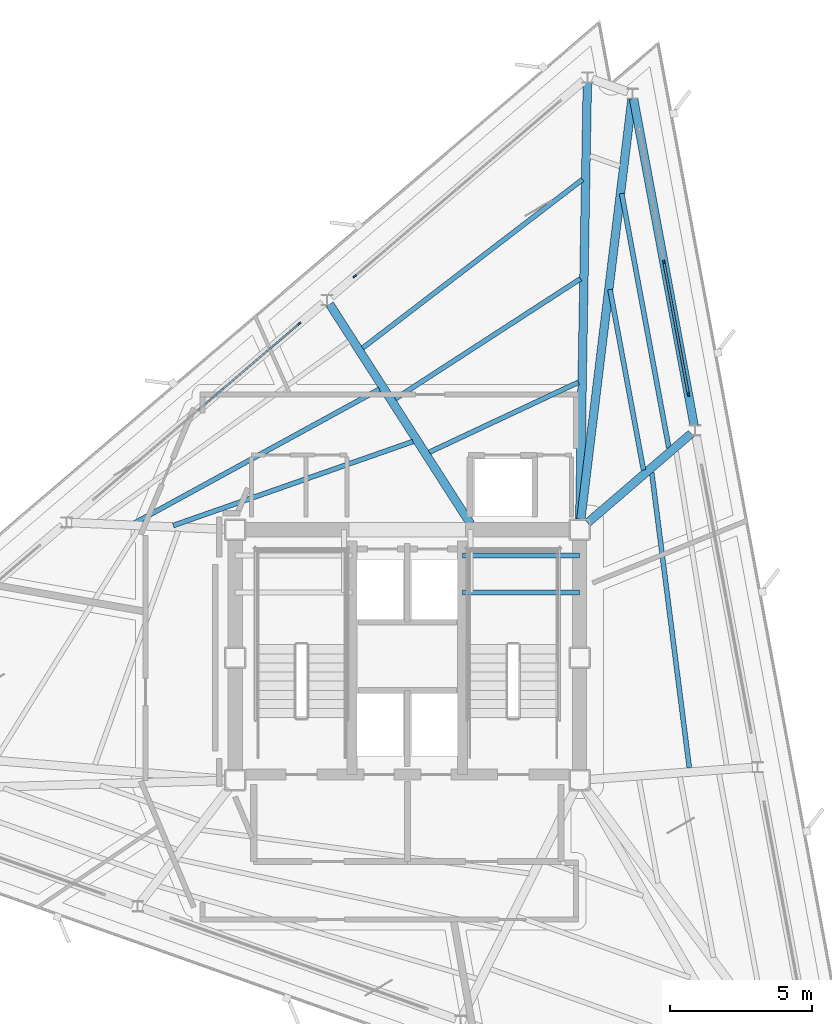
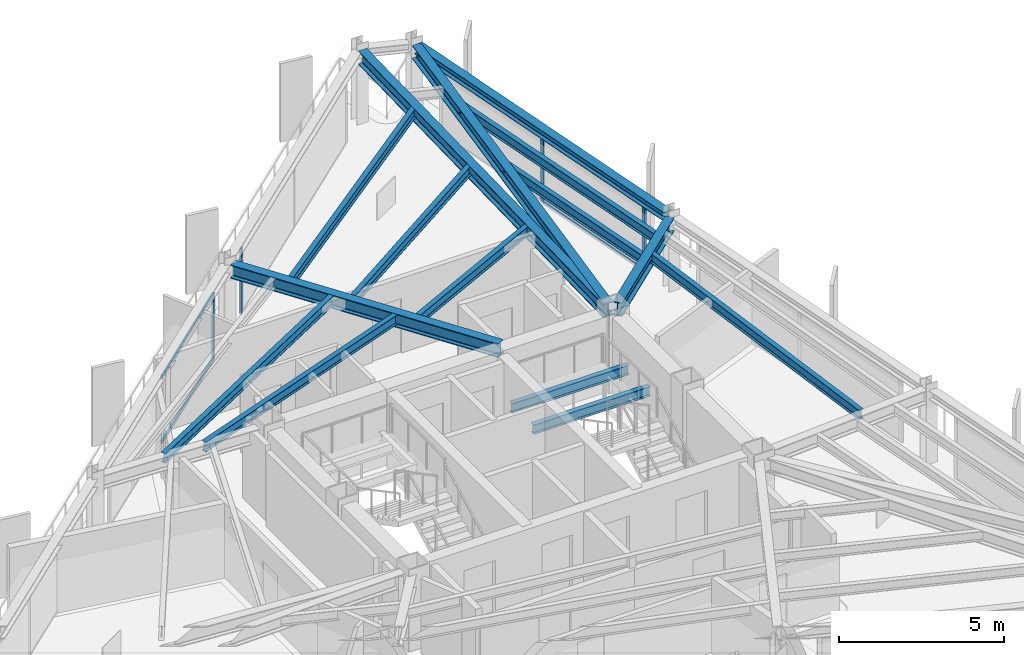
# One storey, part 5 of 14: 15 beams, 8 members, 3 elements without a shape of their own.
"""IFC4 building model written with IfcOpenShell, lengths in metres."""

from ifc_helpers import new_model, si_unit, direction, frame, origin, origin_2d, place, context, subcontext, project, spatial, rectangle, i_section, extrude, material, layer, layer_set, material_profile, profile_set, type_object, element, aggregate, save


model = new_model("IFC4")

# Units and contexts
model_context = context("Model", 3, precision=1e-05, world=origin(), true_north=direction((0.0, 1.0)))
body_context = subcontext(model_context, "Body", "Model", "MODEL_VIEW")
ifc_project = project(units=[si_unit("LENGTHUNIT", "METRE"), si_unit("AREAUNIT", "SQUARE_METRE"), si_unit("VOLUMEUNIT", "CUBIC_METRE"), si_unit("PLANEANGLEUNIT", "RADIAN"), si_unit("MASSUNIT", "GRAM", prefix="KILO")], contexts=[model_context])

# Site, building, storey
site_placement = place(None, origin())
site = spatial("IfcSite", under=ifc_project, at=site_placement, CompositionType="ELEMENT")
building_placement = place(site_placement, origin())
building = spatial("IfcBuilding", under=site, at=building_placement, Name="Rocaltana Carrier Exchange", CompositionType="ELEMENT")
storey_placement = place(building_placement, frame((0.0, 0.0, 187.52001953125)))
storey = spatial("IfcBuildingStorey", under=building, at=storey_placement, Name="L59", CompositionType="ELEMENT", Elevation=187.52001953125)

# Curtain wall, members
ifc_material_1 = material(Name="Aluminium 6063-T6", Category="aluminium")
ifc_layer = layer(ifc_material_1, 0.135009765625)
ifc_layer_set = layer_set([ifc_layer], Name="Aluminium 6063-T6")
curtain_wall_type = type_object("IfcCurtainWallType", Name="Upper-Mid Acoustic Curtain Wall CW-04", PredefinedType="NOTDEFINED", material=ifc_layer_set)
curtain_wall_1_placement = place(storey_placement, origin())
curtain_wall_1 = element("IfcCurtainWall", 1, at=curtain_wall_1_placement, inside=storey, type_object=curtain_wall_type, Name="L59 CW-04 Run CW-L59-F1S3", PredefinedType="NOTDEFINED")
ifc_material_2 = material(Name="Aluminium 6063-T6", Category="aluminium")
ifc_material_profile_1 = material_profile(ifc_material_2, rectangle(XDim=0.06494140625, YDim=0.135009765625, at=origin_2d()), Name="AL-65X135")
ifc_profile_set_1 = profile_set([ifc_material_profile_1], Name="Aluminium 6063-T6")
member_type_1 = type_object("IfcMemberType", Name="CW-04 Mullion AL-65X135", PredefinedType="MULLION", material=ifc_profile_set_1)
member_1_placement = place(storey_placement, frame((9.873046875, 9.25341796875, 0.0), z_axis=(0.0, 0.0, 1.0), x_axis=(-0.983254796134, -0.182236126712, 0.0)))
member_1 = element("IfcMember", 2, at=member_1_placement, type_object=member_type_1, Name="CW-04 mullion 1", PredefinedType="MULLION", context=body_context, shape_type="SweptSolid", body=[
    extrude(rectangle(XDim=0.06494140625, YDim=0.135009765625, at=origin_2d()), origin(), (0.0, 0.0, 1.0), 2.447998046875),
])
member_2_placement = place(storey_placement, frame((9.01025390625, 13.908203125, 0.0), z_axis=(0.0, 0.0, 1.0), x_axis=(-0.983254796134, -0.182236126712, 0.0)))
member_2 = element("IfcMember", 3, at=member_2_placement, type_object=member_type_1, Name="CW-04 mullion 2", PredefinedType="MULLION", context=body_context, shape_type="SweptSolid", body=[
    extrude(rectangle(XDim=0.06494140625, YDim=0.135009765625, at=origin_2d()), origin(), (0.0, 0.0, 1.0), 2.447998046875),
])

# Curtain wall, member
curtain_wall_2_placement = place(storey_placement, origin())
curtain_wall_2 = element("IfcCurtainWall", 4, at=curtain_wall_2_placement, inside=storey, type_object=curtain_wall_type, Name="L59 CW-04 Run CW-L59-F2S1", PredefinedType="NOTDEFINED")
member_3_placement = place(storey_placement, frame((-1.849365234375, 13.404541015625, 0.0), z_axis=(0.0, 0.0, 1.0), x_axis=(0.649447944918, -0.760406053922, 0.0)))
member_3 = element("IfcMember", 5, at=member_3_placement, type_object=member_type_1, Name="CW-04 mullion 3", PredefinedType="MULLION", context=body_context, shape_type="SweptSolid", body=[
    extrude(rectangle(XDim=0.06494140625, YDim=0.135009765625, at=origin_2d()), origin(), (0.0, 0.0, 1.0), 2.447998046875),
])
aggregate(curtain_wall_2, [member_3])

curtain_wall_3_placement = place(storey_placement, origin())
curtain_wall_3 = element("IfcCurtainWall", 6, at=curtain_wall_3_placement, inside=storey, type_object=curtain_wall_type, Name="L59 CW-04 Run CW-L59-F2S2", PredefinedType="NOTDEFINED")
member_4_placement = place(storey_placement, frame((-3.7998046875, 11.73876953125, 0.0), z_axis=(0.0, 0.0, 1.0), x_axis=(0.649454010067, -0.760400873756, 0.0)))
member_4 = element("IfcMember", 7, at=member_4_placement, type_object=member_type_1, Name="CW-04 mullion 1", PredefinedType="MULLION", context=body_context, shape_type="SweptSolid", body=[
    extrude(rectangle(XDim=0.06494140625, YDim=0.135009765625, at=origin_2d()), origin(), (0.0, 0.0, 1.0), 2.447998046875),
])

# Member
ifc_material_3 = material(Name="Aluminium 6063-T6", Category="aluminium")
ifc_material_profile_2 = material_profile(ifc_material_3, rectangle(XDim=0.06494140625, YDim=0.135009765625, at=origin_2d()), Name="AL-65X135")
ifc_profile_set_2 = profile_set([ifc_material_profile_2], Name="Aluminium 6063-T6")
member_type_2 = type_object("IfcMemberType", Name="CW-04 Transom AL-65X135", PredefinedType="USERDEFINED", material=ifc_profile_set_2)
member_5_placement = place(storey_placement, frame((9.866943359375, 9.285400390625, 0.032470703125), z_axis=(-0.182229691605, 0.983255988793, 0.0), x_axis=(-0.983255988793, -0.182229691605, 0.0)))
member_5 = element("IfcMember", 8, at=member_5_placement, type_object=member_type_2, Name="CW-04 transom 1.1", ObjectType="TRANSOM", PredefinedType="USERDEFINED", context=body_context, shape_type="SweptSolid", body=[
    extrude(rectangle(XDim=0.06494140625, YDim=0.135009765625, at=origin_2d()), origin(), (0.0, 0.0, 1.0), 4.6689453125),
])

member_6_placement = place(storey_placement, frame((9.866943359375, 9.285400390625, 2.41552734375), z_axis=(-0.182229691605, 0.983255988793, 0.0), x_axis=(-0.983255988793, -0.182229691605, 0.0)))
member_6 = element("IfcMember", 9, at=member_6_placement, type_object=member_type_2, Name="CW-04 transom 1.2", ObjectType="TRANSOM", PredefinedType="USERDEFINED", context=body_context, shape_type="SweptSolid", body=[
    extrude(rectangle(XDim=0.06494140625, YDim=0.135009765625, at=origin_2d()), origin(), (0.0, 0.0, 1.0), 4.6689453125),
])

aggregate(curtain_wall_1, [member_1, member_2, member_5, member_6])

member_7_placement = place(storey_placement, frame((-3.82470703125, 11.717529296875, 0.032470703125), z_axis=(-0.760381209804, -0.649477032525, 0.0), x_axis=(0.649477032525, -0.760381209804, 0.0)))
member_7 = element("IfcMember", 10, at=member_7_placement, type_object=member_type_2, Name="CW-04 transom 1.1", ObjectType="TRANSOM", PredefinedType="USERDEFINED", context=body_context, shape_type="SweptSolid", body=[
    extrude(rectangle(XDim=0.06494140625, YDim=0.135009765625, at=origin_2d()), origin(), (0.0, 0.0, 1.0), 4.669189453125),
])

member_8_placement = place(storey_placement, frame((-3.82470703125, 11.717529296875, 2.41552734375), z_axis=(-0.760381209804, -0.649477032525, 0.0), x_axis=(0.649477032525, -0.760381209804, 0.0)))
member_8 = element("IfcMember", 11, at=member_8_placement, type_object=member_type_2, Name="CW-04 transom 1.2", ObjectType="TRANSOM", PredefinedType="USERDEFINED", context=body_context, shape_type="SweptSolid", body=[
    extrude(rectangle(XDim=0.06494140625, YDim=0.135009765625, at=origin_2d()), origin(), (0.0, 0.0, 1.0), 4.669189453125),
])

aggregate(curtain_wall_3, [member_4, member_7, member_8])

# Beams
ifc_material_4 = material(Name="Steel S355", Category="steel")
ifc_material_profile_3 = material_profile(ifc_material_4, i_section(OverallWidth=0.172119140625, OverallDepth=0.35791015625, WebThickness=0.0078125, FlangeThickness=0.01318359375, FilletRadius=0.011962890625, at=origin_2d()), Name="W14X38")
ifc_profile_set_3 = profile_set([ifc_material_profile_3], Name="Steel S355")
beam_type_1 = type_object("IfcBeamType", Name="Floor Joist W14X38", PredefinedType="JOIST", material=ifc_profile_set_3)
for number, where, z_axis, x_axis, name in (
    (12, (1.93994140625, 2.300048828125, 1.140869140625), (1.0, 0.0, 0.0), (0.0, 1.0, 0.0), "L59 ST-2 Landing Carrier 1"),
    (13, (1.93994140625, 3.60009765625, 1.140869140625), (1.0, 0.0, 0.0), (0.0, 1.0, 0.0), "L59 ST-2 Landing Carrier 2"),
):
    element("IfcBeam", number, at=place(storey_placement, frame(where, z_axis=z_axis, x_axis=x_axis)), inside=storey, type_object=beam_type_1, Name=name, PredefinedType="JOIST", context=body_context, shape_type="SweptSolid", body=[
        extrude(i_section(OverallWidth=0.172119140625, OverallDepth=0.35791015625, WebThickness=0.0078125, FlangeThickness=0.01318359375, FilletRadius=0.011962890625, at=origin_2d()), origin(), (0.0, 0.0, 1.0), 4.110107421875),
    ])
beam_1_placement = place(storey_placement, frame((9.906494140625, -3.87158203125, 2.618896484375), z_axis=(-0.126288464716, 0.991993560301, 0.0), x_axis=(-0.991993560301, -0.126288464716, 0.0)))
element("IfcBeam", 14, at=beam_1_placement, inside=storey, type_object=beam_type_1, Name="FJ-L59-02-2", PredefinedType="JOIST", context=body_context, shape_type="SweptSolid", body=[
    extrude(i_section(OverallWidth=0.172119140625, OverallDepth=0.35791015625, WebThickness=0.0078125, FlangeThickness=0.01318359375, FilletRadius=0.011962890625, at=origin_2d()), origin(), (0.0, 0.0, 1.0), 10.47802734375),
])
beam_2_placement = place(storey_placement, frame((8.29541015625, 6.597412109375, 2.618896484375), z_axis=(-0.182201749781, 0.983261166922, 0.0), x_axis=(-0.983261166922, -0.182201749781, 0.0)))
element("IfcBeam", 15, at=beam_2_placement, inside=storey, type_object=beam_type_1, Name="FJ-L59-03-2", PredefinedType="JOIST", context=body_context, shape_type="SweptSolid", body=[
    extrude(i_section(OverallWidth=0.172119140625, OverallDepth=0.35791015625, WebThickness=0.0078125, FlangeThickness=0.01318359375, FilletRadius=0.011962890625, at=origin_2d()), origin(), (0.0, 0.0, 1.0), 6.450439453125),
])
beam_3_placement = place(storey_placement, frame((9.18798828125, 7.365478515625, 2.618896484375), z_axis=(-0.18223051112, 0.98325583691, 0.0), x_axis=(-0.98325583691, -0.18223051112, 0.0)))
element("IfcBeam", 16, at=beam_3_placement, inside=storey, type_object=beam_type_1, Name="FJ-L59-03-3", PredefinedType="JOIST", context=body_context, shape_type="SweptSolid", body=[
    extrude(i_section(OverallWidth=0.172119140625, OverallDepth=0.35791015625, WebThickness=0.0078125, FlangeThickness=0.01318359375, FilletRadius=0.011962890625, at=origin_2d()), origin(), (0.0, 0.0, 1.0), 9.09814453125),
])
beam_4_placement = place(storey_placement, frame((6.010498046875, 9.681396484375, 2.618896484375), z_axis=(-0.905370731106, -0.42462199573, 0.0), x_axis=(0.42462199573, -0.905370731106, 0.0)))
element("IfcBeam", 17, at=beam_4_placement, inside=storey, type_object=beam_type_1, Name="FJ-L59-05-1", PredefinedType="JOIST", context=body_context, shape_type="SweptSolid", body=[
    extrude(i_section(OverallWidth=0.172119140625, OverallDepth=0.35791015625, WebThickness=0.0078125, FlangeThickness=0.01318359375, FilletRadius=0.011962890625, at=origin_2d()), origin(), (0.0, 0.0, 1.0), 5.78515625),
])
beam_5_placement = place(storey_placement, frame((6.08349609375, 13.318115234375, 2.618896484375), z_axis=(-0.839155380269, -0.543891761075, 0.0), x_axis=(0.543891761075, -0.839155380269, 0.0)))
element("IfcBeam", 18, at=beam_5_placement, inside=storey, type_object=beam_type_1, Name="FJ-L59-05-2", PredefinedType="JOIST", context=body_context, shape_type="SweptSolid", body=[
    extrude(i_section(OverallWidth=0.172119140625, OverallDepth=0.35791015625, WebThickness=0.0078125, FlangeThickness=0.01318359375, FilletRadius=0.011962890625, at=origin_2d()), origin(), (0.0, 0.0, 1.0), 7.75830078125),
])
beam_6_placement = place(storey_placement, frame((6.150634765625, 16.803955078125, 2.618896484375), z_axis=(-0.793620898392, -0.608412581753, 0.0), x_axis=(0.608412581753, -0.793620898392, 0.0)))
element("IfcBeam", 19, at=beam_6_placement, inside=storey, type_object=beam_type_1, Name="FJ-L59-05-3", PredefinedType="JOIST", context=body_context, shape_type="SweptSolid", body=[
    extrude(i_section(OverallWidth=0.172119140625, OverallDepth=0.35791015625, WebThickness=0.0078125, FlangeThickness=0.01318359375, FilletRadius=0.011962890625, at=origin_2d()), origin(), (0.0, 0.0, 1.0), 9.73095703125),
])
beam_7_placement = place(storey_placement, frame((0.196044921875, 7.600341796875, 2.618896484375), z_axis=(-0.943672237623, -0.330881712913, 0.0), x_axis=(0.330881712913, -0.943672237623, 0.0)))
element("IfcBeam", 20, at=beam_7_placement, inside=storey, type_object=beam_type_1, Name="FJ-L59-06-1", PredefinedType="JOIST", context=body_context, shape_type="SweptSolid", body=[
    extrude(i_section(OverallWidth=0.172119140625, OverallDepth=0.35791015625, WebThickness=0.0078125, FlangeThickness=0.01318359375, FilletRadius=0.011962890625, at=origin_2d()), origin(), (0.0, 0.0, 1.0), 8.923583984375),
])
beam_8_placement = place(storey_placement, frame((-0.984619140625, 9.435302734375, 2.618896484375), z_axis=(-0.877487444281, -0.479599609184, 0.0), x_axis=(0.479599609184, -0.877487444281, 0.0)))
element("IfcBeam", 21, at=beam_8_placement, inside=storey, type_object=beam_type_1, Name="FJ-L59-06-2", PredefinedType="JOIST", context=body_context, shape_type="SweptSolid", body=[
    extrude(i_section(OverallWidth=0.172119140625, OverallDepth=0.35791015625, WebThickness=0.0078125, FlangeThickness=0.01318359375, FilletRadius=0.011962890625, at=origin_2d()), origin(), (0.0, 0.0, 1.0), 9.81494140625),
])
ifc_material_5 = material(Name="Steel S355", Category="steel")
ifc_material_profile_4 = material_profile(ifc_material_5, i_section(OverallWidth=0.300048828125, OverallDepth=0.320068359375, WebThickness=0.011474609375, FlangeThickness=0.0205078125, FilletRadius=0.027099609375, at=origin_2d()), Name="HEB320")
ifc_profile_set_4 = profile_set([ifc_material_profile_4], Name="Steel S355")
beam_type_2 = type_object("IfcBeamType", Name="Spandrel Edge Beam HEB320", PredefinedType="SPANDREL", material=ifc_profile_set_4)
beam_9_placement = place(storey_placement, frame((10.073974609375, 8.168701171875, 2.637939453125), z_axis=(-0.182230042117, 0.983255923832, 0.0), x_axis=(-0.983255923832, -0.182230042117, 0.0)))
element("IfcBeam", 22, at=beam_9_placement, inside=storey, type_object=beam_type_2, Name="SP-L59-03", PredefinedType="SPANDREL", context=body_context, shape_type="SweptSolid", body=[
    extrude(i_section(OverallWidth=0.300048828125, OverallDepth=0.320068359375, WebThickness=0.011474609375, FlangeThickness=0.0205078125, FilletRadius=0.027099609375, at=origin_2d()), origin(), (0.0, 0.0, 1.0), 11.674560546875),
])
ifc_material_6 = material(Name="Steel S355", Category="steel")
ifc_material_profile_5 = material_profile(ifc_material_6, i_section(OverallWidth=0.300048828125, OverallDepth=0.5, WebThickness=0.014404296875, FlangeThickness=0.028076171875, FilletRadius=0.027099609375, at=origin_2d()), Name="HEB500")
ifc_profile_set_5 = profile_set([ifc_material_profile_5], Name="Steel S355")
beam_type_3 = type_object("IfcBeamType", Name="Upper Radial Girder HEB500", PredefinedType="BEAM", material=ifc_profile_set_5)
beam_10_placement = place(storey_placement, frame((6.328125, 4.739501953125, 2.548095703125), z_axis=(0.757863677977, 0.652412941015, 0.0), x_axis=(-0.652412941015, 0.757863677977, 0.0)))
element("IfcBeam", 23, at=beam_10_placement, inside=storey, type_object=beam_type_3, Name="RG-L59-03", PredefinedType="BEAM", context=body_context, shape_type="SweptSolid", body=[
    extrude(i_section(OverallWidth=0.300048828125, OverallDepth=0.5, WebThickness=0.014404296875, FlangeThickness=0.028076171875, FilletRadius=0.027099609375, at=origin_2d()), origin(), (0.0, 0.0, 1.0), 4.806396484375),
])
beam_11_placement = place(storey_placement, frame((6.09423828125, 4.8642578125, 2.548095703125), z_axis=(0.120736779948, 0.992684557132, 0.0), x_axis=(-0.992684557132, 0.120736779948, 0.0)))
element("IfcBeam", 24, at=beam_11_placement, inside=storey, type_object=beam_type_3, Name="RG-L59-04", PredefinedType="BEAM", context=body_context, shape_type="SweptSolid", body=[
    extrude(i_section(OverallWidth=0.300048828125, OverallDepth=0.5, WebThickness=0.014404296875, FlangeThickness=0.028076171875, FilletRadius=0.027099609375, at=origin_2d()), origin(), (0.0, 0.0, 1.0), 14.890625),
])
beam_12_placement = place(storey_placement, frame((6.056396484375, 4.866943359375, 2.548095703125), z_axis=(0.017344962451, 0.999849564823, 0.0), x_axis=(-0.999849564823, 0.017344962451, 0.0)))
element("IfcBeam", 25, at=beam_12_placement, inside=storey, type_object=beam_type_3, Name="RG-L59-05", PredefinedType="BEAM", context=body_context, shape_type="SweptSolid", body=[
    extrude(i_section(OverallWidth=0.300048828125, OverallDepth=0.5, WebThickness=0.014404296875, FlangeThickness=0.028076171875, FilletRadius=0.027099609375, at=origin_2d()), origin(), (0.0, 0.0, 1.0), 15.34228515625),
])
beam_13_placement = place(storey_placement, frame((2.219482421875, 4.70361328125, 2.548095703125), z_axis=(-0.539712580776, 0.841849351222, 0.0), x_axis=(-0.841849351222, -0.539712580776, 0.0)))
element("IfcBeam", 26, at=beam_13_placement, inside=storey, type_object=beam_type_3, Name="RG-L59-06", PredefinedType="BEAM", context=body_context, shape_type="SweptSolid", body=[
    extrude(i_section(OverallWidth=0.300048828125, OverallDepth=0.5, WebThickness=0.014404296875, FlangeThickness=0.028076171875, FilletRadius=0.027099609375, at=origin_2d()), origin(), (0.0, 0.0, 1.0), 9.16650390625),
])

save(model, "model.ifc")
